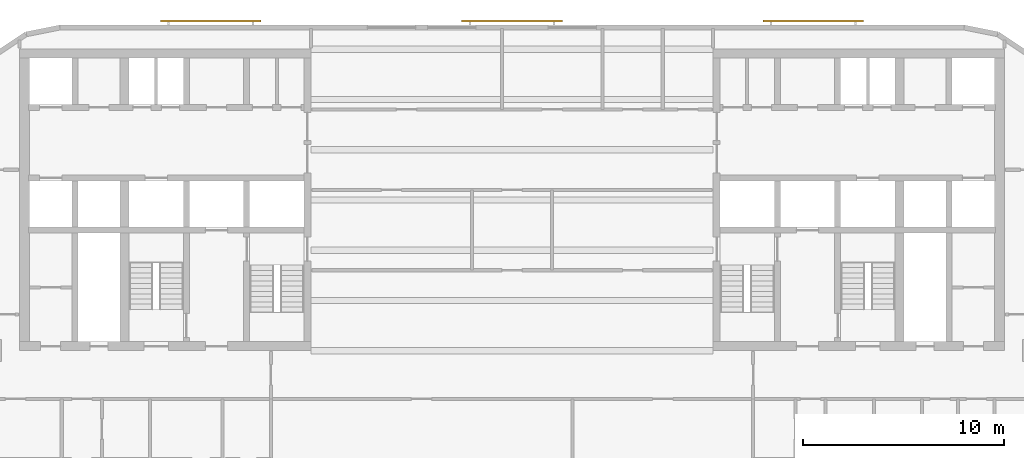
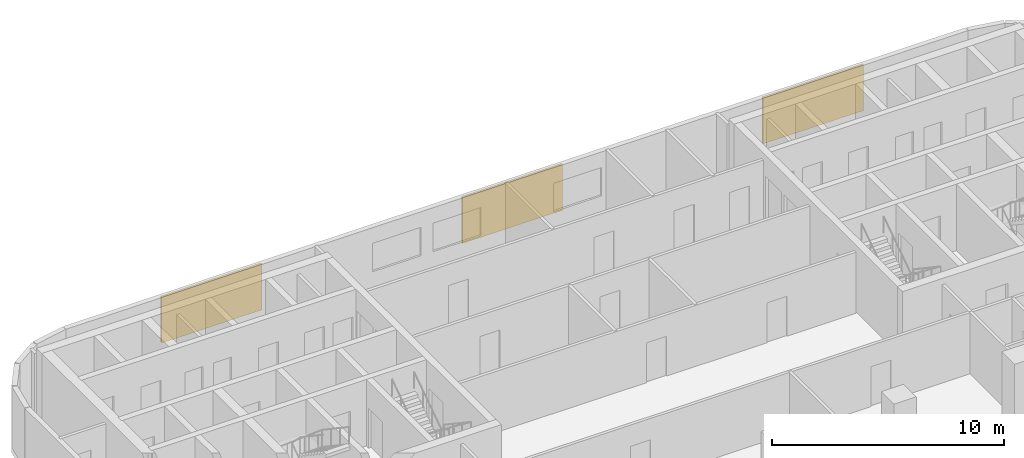
# One storey, part 10 of 11: 3 shading devices.
"""IFC4 building model written with IfcOpenShell, lengths in metres."""

from ifc_helpers import new_model, si_unit, direction, frame, origin, origin_2d, place, context, subcontext, project, spatial, rectangle, extrude, material, layer, layer_set, type_object, element, save


model = new_model("IFC4")

# Units and contexts
model_context = context("Model", 3, precision=1e-05, world=origin(), true_north=direction((0.0, 1.0)))
body_context = subcontext(model_context, "Body", "Model", "MODEL_VIEW")
ifc_project = project(units=[si_unit("LENGTHUNIT", "METRE"), si_unit("AREAUNIT", "SQUARE_METRE"), si_unit("VOLUMEUNIT", "CUBIC_METRE"), si_unit("PLANEANGLEUNIT", "RADIAN"), si_unit("MASSUNIT", "GRAM", prefix="KILO")], contexts=[model_context])

# Site, building, storey
site_placement = place(None, origin())
site = spatial("IfcSite", under=ifc_project, at=site_placement, CompositionType="ELEMENT")
building_placement = place(site_placement, origin())
building = spatial("IfcBuilding", under=site, at=building_placement, Name="Torana Hotel and Residences", CompositionType="ELEMENT")
storey_placement = place(building_placement, frame((0.0, 0.0, 204.60009765625)))
storey = spatial("IfcBuildingStorey", under=building, at=storey_placement, Name="L53", CompositionType="ELEMENT", Elevation=204.60009765625)

# Shading devices
ifc_material = material(Name="Concrete C40/50 precast", Category="concrete")
ifc_layer = layer(ifc_material, 0.10009765625)
ifc_layer_set = layer_set([ifc_layer], Name="SC1 PERFORATED BLOCK SCREEN PANEL 100")
shading_device_type = type_object("IfcShadingDeviceType", Name="SC1 PERFORATED BLOCK SCREEN PANEL 100", PredefinedType="USERDEFINED", material=ifc_layer_set)
for number, where, z_axis, x_axis, name in (
    (1, (14.983642578125, 1.39990234375, 0.5), (0.0, 0.0, 1.0), (-1.0, 0.0, 0.0), "Perforated block screen L53"),
    (2, (0.0, 1.39990234375, 0.5), (0.0, 0.0, 1.0), (-1.0, 0.0, 0.0), "Perforated block screen L53"),
    (3, (-14.983642578125, 1.39990234375, 0.5), (0.0, 0.0, 1.0), (-1.0, 0.0, 0.0), "Perforated block screen L53"),
):
    element("IfcShadingDevice", number, at=place(storey_placement, frame(where, z_axis=z_axis, x_axis=x_axis)), inside=storey, type_object=shading_device_type, Name=name, ObjectType="SCREEN", PredefinedType="USERDEFINED", context=body_context, shape_type="SweptSolid", body=[
        extrude(rectangle(XDim=5.0, YDim=0.10009765625, at=origin_2d()), origin(), (0.0, 0.0, 1.0), 2.419921875),
    ])

save(model, "model.ifc")
